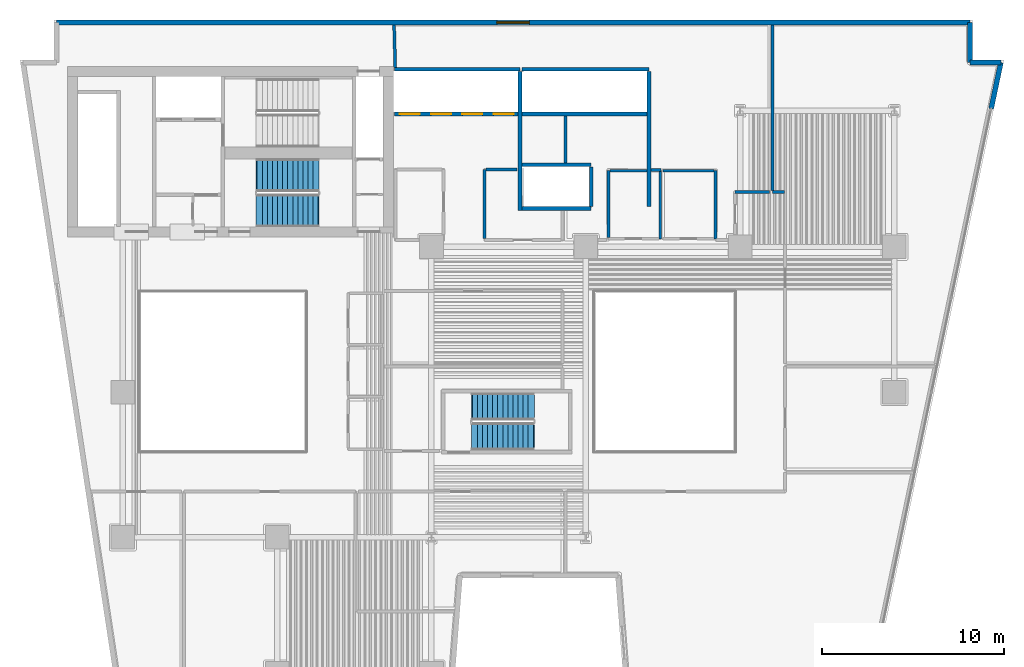
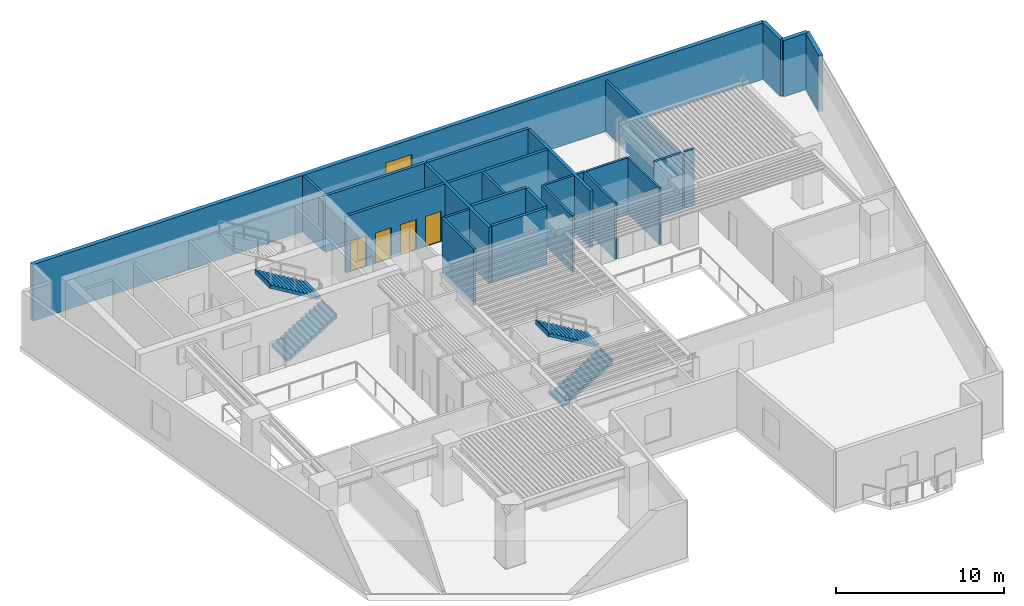
# One storey, part 6 of 12: 26 walls, 4 doors, 4 stair flights, 1 window, 5 openings, 2 elements without a shape of their own.
"""IFC4 building model written with IfcOpenShell, lengths in metres."""

from ifc_helpers import new_model, si_unit, direction, frame, frame_2d, origin, place, context, subcontext, project, spatial, polyline, rectangle, outline, extrude, material, layer, layer_set, type_object, element, fill, aggregate, save


model = new_model("IFC4")

# Units and contexts
model_context = context("Model", 3, precision=1e-05, world=origin(), true_north=direction((0.0, 1.0)))
body_context = subcontext(model_context, "Body", "Model", "MODEL_VIEW")
ifc_project = project(units=[si_unit("LENGTHUNIT", "METRE"), si_unit("AREAUNIT", "SQUARE_METRE"), si_unit("VOLUMEUNIT", "CUBIC_METRE"), si_unit("PLANEANGLEUNIT", "RADIAN"), si_unit("MASSUNIT", "GRAM", prefix="KILO")], contexts=[model_context])

# Site, building, storey
site_placement = place(None, origin())
site = spatial("IfcSite", under=ifc_project, at=site_placement, CompositionType="ELEMENT")
building_placement = place(site_placement, origin())
building = spatial("IfcBuilding", under=site, at=building_placement, Name="Caeloran Harvest Quay", CompositionType="ELEMENT")
storey_placement = place(building_placement, frame((0.0, 0.0, 71.0)))
storey = spatial("IfcBuildingStorey", under=building, at=storey_placement, Name="L16", CompositionType="ELEMENT", Elevation=71.0)

# Wall, opening, window
ifc_material_1 = material(Name="Precast concrete C50/60", Category="concrete")
ifc_layer_1 = layer(ifc_material_1, 0.280029296875, Name="Precast concrete C50/60")
ifc_layer_set_1 = layer_set([ifc_layer_1], Name="Precast concrete C50/60")
wall_type_1 = type_object("IfcWallType", Name="ENV-WALL-EW-280", PredefinedType="STANDARD", material=ifc_layer_set_1)
wall_1_placement = place(storey_placement, frame((4.840087890625, 43.360107421875, 0.0), z_axis=(0.0, 0.0, 1.0), x_axis=(1.0, 0.0, 0.0)))
wall_1 = element("IfcWall", 1, at=wall_1_placement, inside=storey, type_object=wall_type_1, Name="L16 Exterior Precast Concrete Facade Wall 6", PredefinedType="STANDARD", context=body_context, shape_type="SweptSolid", body=[
    extrude(rectangle(XDim=50.31982421875, YDim=0.280029296875, at=frame_2d((25.159912109375, 0.0))), origin(), (0.0, 0.0, 1.0), 4.10009765625),
])
opening_1_placement = place(wall_1_placement, frame((24.260009765625, 0.0, 0.89990234375)))
opening_1 = element("IfcOpeningElement", 2, at=opening_1_placement, cuts=wall_1, Name="Opening W-01", PredefinedType="OPENING", context=body_context, shape_type="SweptSolid", body=[
    extrude(rectangle(XDim=1.800048828125, YDim=2.10009765625, at=frame_2d((0.89990234375, 1.050048828125))), frame((0.0, 0.14990234375, 0.0), z_axis=(0.0, -1.0, 0.0), x_axis=(1.0, 0.0, 0.0)), (0.0, 0.0, 1.0), 0.300048828125),
])
ifc_material_2 = material(Name="Aluminium-Framed Low-E Laminated Glass", Category="aluminium")
window_type = type_object("IfcWindowType", Name="WIN-W-01", PartitioningType="SINGLE_PANEL", PredefinedType="WINDOW", material=ifc_material_2)
window_placement = place(opening_1_placement, origin())
window = element("IfcWindow", 3, at=window_placement, inside=storey, type_object=window_type, Name="L16 Facade Punched Window W-01", OverallHeight=2.10009765625, OverallWidth=1.800048828125, PartitioningType="SINGLE_PANEL", PredefinedType="WINDOW", context=body_context, shape_type="SweptSolid", body=[
    extrude(rectangle(XDim=1.800048828125, YDim=2.10009765625, at=frame_2d((0.89990234375, 1.050048828125))), frame((0.0, 0.030029296875, 0.0), z_axis=(0.0, -1.0, 0.0), x_axis=(1.0, 0.0, 0.0)), (0.0, 0.0, 1.0), 0.06005859375),
])
fill(opening_1, window)

# Walls
wall_2_placement = place(storey_placement, frame((55.159912109375, 43.360107421875, 0.0), z_axis=(0.0, 0.0, 1.0), x_axis=(0.0, -1.0, 0.0)))
element("IfcWall", 4, at=wall_2_placement, inside=storey, type_object=wall_type_1, Name="L16 Exterior Precast Concrete Facade Wall 7", PredefinedType="STANDARD", context=body_context, shape_type="SweptSolid", body=[
    extrude(rectangle(XDim=2.2001953125, YDim=0.280029296875, at=frame_2d((1.10009765625, 0.0))), origin(), (0.0, 0.0, 1.0), 4.10009765625),
])
wall_3_placement = place(storey_placement, frame((55.159912109375, 41.159912109375, 0.0), z_axis=(0.0, 0.0, 1.0), x_axis=(1.0, 0.0, 0.0)))
element("IfcWall", 5, at=wall_3_placement, inside=storey, type_object=wall_type_1, Name="L16 Exterior Precast Concrete Facade Wall 8", PredefinedType="STANDARD", context=body_context, shape_type="SweptSolid", body=[
    extrude(rectangle(XDim=1.705322265625, YDim=0.280029296875, at=frame_2d((0.8525390625, 0.0))), origin(), (0.0, 0.0, 1.0), 4.10009765625),
])
wall_4_placement = place(storey_placement, frame((56.865234375, 41.159912109375, 0.0), z_axis=(0.0, 0.0, 1.0), x_axis=(-0.205551409765, -0.978646319128, 0.0)))
element("IfcWall", 6, at=wall_4_placement, inside=storey, type_object=wall_type_1, Name="L16 Exterior Facade Corner Pier Wall 9A", PredefinedType="STANDARD", context=body_context, shape_type="SweptSolid", body=[
    extrude(rectangle(XDim=2.599853515625, YDim=0.280029296875, at=frame_2d((1.2998046875, 0.0))), origin(), (0.0, 0.0, 1.0), 4.10009765625),
])
ifc_material_3 = material(Name="Autoclaved Aerated Concrete Blockwork and Plasterboard", Category="masonry")
ifc_layer_2 = layer(ifc_material_3, 0.14990234375, Name="Autoclaved Aerated Concrete Blockwork and Plasterboard")
ifc_layer_set_2 = layer_set([ifc_layer_2], Name="Autoclaved Aerated Concrete Blockwork and Plasterboard")
wall_type_2 = type_object("IfcWallType", Name="INT-WALL-PW-150", PredefinedType="PARTITIONING", material=ifc_layer_set_2)
wall_5_placement = place(storey_placement, frame((38.10009765625, 35.199951171875, 0.0), z_axis=(0.0, 0.0, 1.0), x_axis=(0.0, -1.0, 0.0)))
element("IfcWall", 7, at=wall_5_placement, inside=storey, type_object=wall_type_2, Name="L16 Core Telemetry West Room Partition Wall", PredefinedType="PARTITIONING", context=body_context, shape_type="SweptSolid", body=[
    extrude(rectangle(XDim=3.75, YDim=0.14990234375, at=frame_2d((1.875, 0.0))), origin(), (0.0, 0.0, 1.0), 4.10009765625),
])
wall_6_placement = place(storey_placement, frame((35.25, 31.530029296875, 0.0), z_axis=(0.0, 0.0, 1.0), x_axis=(0.0, 1.0, 0.0)))
element("IfcWall", 8, at=wall_6_placement, inside=storey, type_object=wall_type_2, Name="L16 Core Telemetry West Room Partition Wall", PredefinedType="PARTITIONING", context=body_context, shape_type="SweptSolid", body=[
    extrude(rectangle(XDim=3.669921875, YDim=0.14990234375, at=frame_2d((1.8349609375, 0.0))), origin(), (0.0, 0.0, 1.0), 4.10009765625),
])
wall_7_placement = place(storey_placement, frame((35.330078125, 35.199951171875, 0.0), z_axis=(0.0, 0.0, 1.0), x_axis=(1.0, 0.0, 0.0)))
element("IfcWall", 9, at=wall_7_placement, inside=storey, type_object=wall_type_2, Name="L16 Core Telemetry West Room Partition Wall", PredefinedType="PARTITIONING", context=body_context, shape_type="SweptSolid", body=[
    extrude(rectangle(XDim=2.044921875, YDim=0.14990234375, at=frame_2d((1.0224609375, 0.0))), origin(), (0.0, 0.0, 1.0), 4.10009765625),
])
wall_8_placement = place(storey_placement, frame((41.14990234375, 35.199951171875, 0.0), z_axis=(0.0, 0.0, 1.0), x_axis=(0.0, -1.0, 0.0)))
element("IfcWall", 10, at=wall_8_placement, inside=storey, type_object=wall_type_2, Name="L16 Core Metering East Room Partition Wall", PredefinedType="PARTITIONING", context=body_context, shape_type="SweptSolid", body=[
    extrude(rectangle(XDim=3.75, YDim=0.14990234375, at=frame_2d((1.875, 0.0))), origin(), (0.0, 0.0, 1.0), 4.10009765625),
])
wall_9_placement = place(storey_placement, frame((38.25, 35.199951171875, 0.0), z_axis=(0.0, 0.0, 1.0), x_axis=(1.0, 0.0, 0.0)))
element("IfcWall", 11, at=wall_9_placement, inside=storey, type_object=wall_type_2, Name="L16 Core Metering East Room Partition Wall", PredefinedType="PARTITIONING", context=body_context, shape_type="SweptSolid", body=[
    extrude(rectangle(XDim=2.820068359375, YDim=0.14990234375, at=frame_2d((1.41015625, 0.0))), origin(), (0.0, 0.0, 1.0), 4.10009765625),
])
ifc_material_4 = material(Name="Autoclaved Aerated Concrete Blockwork", Category="masonry")
ifc_layer_3 = layer(ifc_material_4, 0.1650390625, Name="Autoclaved Aerated Concrete Blockwork")
ifc_layer_set_3 = layer_set([ifc_layer_3], Name="Autoclaved Aerated Concrete Blockwork")
wall_type_3 = type_object("IfcWallType", Name="INT-WALL-PW-165", PredefinedType="PARTITIONING", material=ifc_layer_set_3)
wall_10_placement = place(storey_placement, frame((28.429931640625, 31.467529296875, 0.0), z_axis=(0.0, 0.0, 1.0), x_axis=(0.0, 1.0, 0.0)))
element("IfcWall", 12, at=wall_10_placement, inside=storey, type_object=wall_type_3, Name="Staff Wellness Lounge Partition Wall", PredefinedType="PARTITIONING", context=body_context, shape_type="SweptSolid", body=[
    extrude(rectangle(XDim=3.802490234375, YDim=0.1650390625, at=frame_2d((1.9013671875, 0.0))), origin(), (0.0, 0.0, 1.0), 4.10009765625),
])
wall_11_placement = place(storey_placement, frame((28.517578125, 35.27001953125, 0.0), z_axis=(0.0, 0.0, 1.0), x_axis=(1.0, 0.0, 0.0)))
element("IfcWall", 13, at=wall_11_placement, inside=storey, type_object=wall_type_3, Name="Staff Wellness Lounge Partition Wall", PredefinedType="PARTITIONING", context=body_context, shape_type="SweptSolid", body=[
    extrude(rectangle(XDim=1.702392578125, YDim=0.1650390625, at=frame_2d((0.85107421875, 0.0))), origin(), (0.0, 0.0, 1.0), 4.10009765625),
])
wall_12_placement = place(storey_placement, frame((44.949951171875, 34.030029296875, 0.0), z_axis=(0.0, 0.0, 1.0), x_axis=(-1.0, 0.0, 0.0)))
element("IfcWall", 14, at=wall_12_placement, inside=storey, type_object=wall_type_3, Name="Medicinal Plant Aeroponic Room 10 Partition Wall", PredefinedType="PARTITIONING", context=body_context, shape_type="SweptSolid", body=[
    extrude(rectangle(XDim=0.669921875, YDim=0.1650390625, at=frame_2d((0.3349609375, 0.0))), origin(), (0.0, 0.0, 1.0), 4.10009765625),
])
wall_13_placement = place(storey_placement, frame((44.280029296875, 34.117431640625, 0.0), z_axis=(0.0, 0.0, 1.0), x_axis=(0.0, 1.0, 0.0)))
element("IfcWall", 15, at=wall_13_placement, inside=storey, type_object=wall_type_3, Name="Medicinal Plant Aeroponic Room 10 Partition Wall", PredefinedType="PARTITIONING", context=body_context, shape_type="SweptSolid", body=[
    extrude(rectangle(XDim=9.09765625, YDim=0.1650390625, at=frame_2d((4.548828125, 0.0))), origin(), (0.0, 0.0, 1.0), 3.72509765625),
])
wall_14_placement = place(storey_placement, frame((44.1201171875, 34.030029296875, 0.0), z_axis=(0.0, 0.0, 1.0), x_axis=(-1.0, 0.0, 0.0)))
element("IfcWall", 16, at=wall_14_placement, inside=storey, type_object=wall_type_3, Name="Photobiology Spectrum Laboratory 11 Partition Wall", PredefinedType="PARTITIONING", context=body_context, shape_type="SweptSolid", body=[
    extrude(rectangle(XDim=1.900146484375, YDim=0.1650390625, at=frame_2d((0.9501953125, 0.0))), origin(), (0.0, 0.0, 1.0), 4.10009765625),
])
wall_15_placement = place(storey_placement, frame((38.155517578125, 35.22998046875, 0.0), z_axis=(0.0, 0.0, 1.0), x_axis=(-1.0, 0.0, 0.0)))
element("IfcWall", 17, at=wall_15_placement, inside=storey, type_object=wall_type_3, Name="Photobiology Spectrum Laboratory 11 Partition Wall", PredefinedType="PARTITIONING", context=body_context, shape_type="SweptSolid", body=[
    extrude(rectangle(XDim=0.570556640625, YDim=0.1650390625, at=frame_2d((0.28515625, 0.0))), origin(), (0.0, 0.0, 1.0), 4.10009765625),
])
wall_16_placement = place(storey_placement, frame((32.8798828125, 35.635009765625, 0.0), z_axis=(0.0, 0.0, 1.0), x_axis=(0.0, 1.0, 0.0)))
element("IfcWall", 18, at=wall_16_placement, inside=storey, type_object=wall_type_3, Name="Photobiology Spectrum Laboratory 11 Partition Wall", PredefinedType="PARTITIONING", context=body_context, shape_type="SweptSolid", body=[
    extrude(rectangle(XDim=2.580078125, YDim=0.1650390625, at=frame_2d((1.2900390625, 0.0))), origin(), (0.0, 0.0, 1.0), 4.10009765625),
])
wall_17_placement = place(storey_placement, frame((23.505615234375, 40.885009765625, 0.0), z_axis=(0.0, 0.0, 1.0), x_axis=(-0.027441464163, 0.999623412113, 0.0)))
element("IfcWall", 19, at=wall_17_placement, inside=storey, type_object=wall_type_3, Name="Photobiology Spectrum Laboratory 11 Partition Wall", PredefinedType="PARTITIONING", context=body_context, shape_type="SweptSolid", body=[
    extrude(rectangle(XDim=2.3310546875, YDim=0.1650390625, at=frame_2d((1.16552734375, 0.0))), origin(), (0.0, 0.0, 1.0), 4.10009765625),
])
ifc_material_5 = material(Name="Concrete C50/60", Category="concrete")
ifc_layer_4 = layer(ifc_material_5, 0.199951171875, Name="Concrete C50/60")
ifc_layer_set_4 = layer_set([ifc_layer_4], Name="Concrete C50/60")
wall_type_4 = type_object("IfcWallType", Name="INT-WALL-SW-200", PredefinedType="PARTITIONING", material=ifc_layer_set_4)
wall_18_placement = place(storey_placement, frame((23.469970703125, 40.780029296875, 0.0), z_axis=(0.0, 0.0, 1.0), x_axis=(1.0, 0.0, 0.0)))
element("IfcWall", 20, at=wall_18_placement, inside=storey, type_object=wall_type_4, Name="L16 Bank 1 Lift Shaft North Wall", PredefinedType="PARTITIONING", context=body_context, shape_type="SweptSolid", body=[
    extrude(rectangle(XDim=6.909912109375, YDim=0.199951171875, at=frame_2d((3.455078125, 0.0))), origin(), (0.0, 0.0, 1.0), 4.10009765625),
])
wall_19_placement = place(storey_placement, frame((30.3798828125, 33.02001953125, 0.0), z_axis=(0.0, 0.0, 1.0), x_axis=(0.0, 1.0, 0.0)))
element("IfcWall", 21, at=wall_19_placement, inside=storey, type_object=wall_type_4, Name="L16 Bank 1 Lift Shaft East Wall", PredefinedType="PARTITIONING", context=body_context, shape_type="SweptSolid", body=[
    extrude(rectangle(XDim=7.639892578125, YDim=0.199951171875, at=frame_2d((3.81982421875, 0.0))), origin(), (0.0, 0.0, 1.0), 4.10009765625),
])

# Wall, openings, doors
wall_20_placement = place(storey_placement, frame((23.469970703125, 38.320068359375, 0.0), z_axis=(0.0, 0.0, 1.0), x_axis=(1.0, 0.0, 0.0)))
wall_20 = element("IfcWall", 22, at=wall_20_placement, inside=storey, type_object=wall_type_4, Name="L16 Bank 1 Lift Landing Front Wall", PredefinedType="PARTITIONING", context=body_context, shape_type="SweptSolid", body=[
    extrude(rectangle(XDim=6.7900390625, YDim=0.199951171875, at=frame_2d((3.39501953125, 0.0))), origin(), (0.0, 0.0, 1.0), 4.10009765625),
])
opening_2_placement = place(wall_20_placement, frame((0.2900390625, 0.0, 0.0)))
opening_2 = element("IfcOpeningElement", 23, at=opening_2_placement, cuts=wall_20, Name="Opening LD-01", PredefinedType="OPENING", context=body_context, shape_type="SweptSolid", body=[
    extrude(rectangle(XDim=1.10009765625, YDim=2.199951171875, at=frame_2d((0.550048828125, 1.10009765625))), frame((0.0, 0.10986328125, 0.0), z_axis=(0.0, -1.0, 0.0), x_axis=(1.0, 0.0, 0.0)), (0.0, 0.0, 1.0), 0.219970703125),
])
opening_3_placement = place(wall_20_placement, frame((2.010009765625, 0.0, 0.0)))
opening_3 = element("IfcOpeningElement", 24, at=opening_3_placement, cuts=wall_20, Name="Opening LD-01", PredefinedType="OPENING", context=body_context, shape_type="SweptSolid", body=[
    extrude(rectangle(XDim=1.10009765625, YDim=2.199951171875, at=frame_2d((0.550048828125, 1.10009765625))), frame((0.0, 0.10986328125, 0.0), z_axis=(0.0, -1.0, 0.0), x_axis=(1.0, 0.0, 0.0)), (0.0, 0.0, 1.0), 0.219970703125),
])
opening_4_placement = place(wall_20_placement, frame((3.72998046875, 0.0, 0.0)))
opening_4 = element("IfcOpeningElement", 25, at=opening_4_placement, cuts=wall_20, Name="Opening LD-01", PredefinedType="OPENING", context=body_context, shape_type="SweptSolid", body=[
    extrude(rectangle(XDim=1.10009765625, YDim=2.199951171875, at=frame_2d((0.550048828125, 1.10009765625))), frame((0.0, 0.10986328125, 0.0), z_axis=(0.0, -1.0, 0.0), x_axis=(1.0, 0.0, 0.0)), (0.0, 0.0, 1.0), 0.219970703125),
])
opening_5_placement = place(wall_20_placement, frame((5.449951171875, 0.0, 0.0)))
opening_5 = element("IfcOpeningElement", 26, at=opening_5_placement, cuts=wall_20, Name="Opening LD-01", PredefinedType="OPENING", context=body_context, shape_type="SweptSolid", body=[
    extrude(rectangle(XDim=1.10009765625, YDim=2.199951171875, at=frame_2d((0.550048828125, 1.10009765625))), frame((0.0, 0.10986328125, 0.0), z_axis=(0.0, -1.0, 0.0), x_axis=(1.0, 0.0, 0.0)), (0.0, 0.0, 1.0), 0.219970703125),
])
ifc_material_6 = material(Name="Stainless Steel Grade 316", Category="steel")
door_type = type_object("IfcDoorType", Name="INTDOOR-LD-01", OperationType="NOTDEFINED", PredefinedType="DOOR", material=ifc_material_6)
door_1_placement = place(opening_2_placement, origin())
door_1 = element("IfcDoor", 27, at=door_1_placement, inside=storey, type_object=door_type, Name="Lift P1-1 Sliding Landing Door (L16)", OperationType="DOUBLE_DOOR_SLIDING", OverallHeight=2.199951171875, OverallWidth=1.10009765625, PredefinedType="DOOR", context=body_context, shape_type="SweptSolid", body=[
    extrude(rectangle(XDim=1.10009765625, YDim=2.199951171875, at=frame_2d((0.550048828125, 1.10009765625))), frame((0.0, 0.02490234375, 0.0), z_axis=(0.0, -1.0, 0.0), x_axis=(1.0, 0.0, 0.0)), (0.0, 0.0, 1.0), 0.050048828125),
])
fill(opening_2, door_1)
door_2_placement = place(opening_3_placement, origin())
door_2 = element("IfcDoor", 28, at=door_2_placement, inside=storey, type_object=door_type, Name="Lift P1-2 Sliding Landing Door (L16)", OperationType="DOUBLE_DOOR_SLIDING", OverallHeight=2.199951171875, OverallWidth=1.10009765625, PredefinedType="DOOR", context=body_context, shape_type="SweptSolid", body=[
    extrude(rectangle(XDim=1.10009765625, YDim=2.199951171875, at=frame_2d((0.550048828125, 1.10009765625))), frame((0.0, 0.02490234375, 0.0), z_axis=(0.0, -1.0, 0.0), x_axis=(1.0, 0.0, 0.0)), (0.0, 0.0, 1.0), 0.050048828125),
])
fill(opening_3, door_2)
door_3_placement = place(opening_4_placement, origin())
door_3 = element("IfcDoor", 29, at=door_3_placement, inside=storey, type_object=door_type, Name="Lift P1-3 Sliding Landing Door (L16)", OperationType="DOUBLE_DOOR_SLIDING", OverallHeight=2.199951171875, OverallWidth=1.10009765625, PredefinedType="DOOR", context=body_context, shape_type="SweptSolid", body=[
    extrude(rectangle(XDim=1.10009765625, YDim=2.199951171875, at=frame_2d((0.550048828125, 1.10009765625))), frame((0.0, 0.02490234375, 0.0), z_axis=(0.0, -1.0, 0.0), x_axis=(1.0, 0.0, 0.0)), (0.0, 0.0, 1.0), 0.050048828125),
])
fill(opening_4, door_3)
door_4_placement = place(opening_5_placement, origin())
door_4 = element("IfcDoor", 30, at=door_4_placement, inside=storey, type_object=door_type, Name="Lift P1-4 Sliding Landing Door (L16)", OperationType="DOUBLE_DOOR_SLIDING", OverallHeight=2.199951171875, OverallWidth=1.10009765625, PredefinedType="DOOR", context=body_context, shape_type="SweptSolid", body=[
    extrude(rectangle(XDim=1.10009765625, YDim=2.199951171875, at=frame_2d((0.550048828125, 1.10009765625))), frame((0.0, 0.02490234375, 0.0), z_axis=(0.0, -1.0, 0.0), x_axis=(1.0, 0.0, 0.0)), (0.0, 0.0, 1.0), 0.050048828125),
])
fill(opening_5, door_4)

# Walls
wall_21_placement = place(storey_placement, frame((30.5, 40.780029296875, 0.0), z_axis=(0.0, 0.0, 1.0), x_axis=(1.0, 0.0, 0.0)))
element("IfcWall", 31, at=wall_21_placement, inside=storey, type_object=wall_type_4, Name="L16 Bank 2 Lift Shaft North Wall", PredefinedType="PARTITIONING", context=body_context, shape_type="SweptSolid", body=[
    extrude(rectangle(XDim=6.97998046875, YDim=0.199951171875, at=frame_2d((3.489990234375, 0.0))), origin(), (0.0, 0.0, 1.0), 4.10009765625),
])
wall_22_placement = place(storey_placement, frame((37.47998046875, 33.239990234375, 0.0), z_axis=(0.0, 0.0, 1.0), x_axis=(0.0, 1.0, 0.0)))
element("IfcWall", 32, at=wall_22_placement, inside=storey, type_object=wall_type_4, Name="L16 Bank 2 Lift Shaft East Wall", PredefinedType="PARTITIONING", context=body_context, shape_type="SweptSolid", body=[
    extrude(rectangle(XDim=7.419921875, YDim=0.199951171875, at=frame_2d((3.7099609375, 0.0))), origin(), (0.0, 0.0, 1.0), 4.10009765625),
])
wall_23_placement = place(storey_placement, frame((30.5, 38.320068359375, 0.0), z_axis=(0.0, 0.0, 1.0), x_axis=(1.0, 0.0, 0.0)))
element("IfcWall", 33, at=wall_23_placement, inside=storey, type_object=wall_type_4, Name="L16 Bank 2 Lift Landing Front Wall", PredefinedType="PARTITIONING", context=body_context, shape_type="SweptSolid", body=[
    extrude(rectangle(XDim=6.860107421875, YDim=0.199951171875, at=frame_2d((3.43017578125, 0.0))), origin(), (0.0, 0.0, 1.0), 4.10009765625),
])
for number, where, z_axis, x_axis, name in (
    (34, (30.5, 35.530029296875, 0.0), (0.0, 0.0, 1.0), (1.0, 0.0, 0.0), "L16 Shuttle Lift Landing Front Wall"),
    (35, (30.5, 33.1201171875, 0.0), (0.0, 0.0, 1.0), (1.0, 0.0, 0.0), "L16 Shuttle Lift Shaft South Wall"),
):
    element("IfcWall", number, at=place(storey_placement, frame(where, z_axis=z_axis, x_axis=x_axis)), inside=storey, type_object=wall_type_4, Name=name, PredefinedType="PARTITIONING", context=body_context, shape_type="SweptSolid", body=[
        extrude(rectangle(XDim=3.800048828125, YDim=0.199951171875, at=frame_2d((1.89990234375, 0.0))), origin(), (0.0, 0.0, 1.0), 4.10009765625),
    ])
wall_24_placement = place(storey_placement, frame((34.300048828125, 33.239990234375, 0.0), z_axis=(0.0, 0.0, 1.0), x_axis=(0.0, 1.0, 0.0)))
element("IfcWall", 36, at=wall_24_placement, inside=storey, type_object=wall_type_4, Name="L16 Shuttle Lift Shaft East Wall", PredefinedType="PARTITIONING", context=body_context, shape_type="SweptSolid", body=[
    extrude(rectangle(XDim=2.169921875, YDim=0.199951171875, at=frame_2d((1.0849609375, 0.0))), origin(), (0.0, 0.0, 1.0), 4.10009765625),
])

# Stair, stair flights
stair_type_1 = type_object("IfcStairType", Name="STAIR-STC-180", PredefinedType="HALF_TURN_STAIR", material=ifc_material_5)
stair_1_placement = place(storey_placement, origin())
stair_1 = element("IfcStair", 37, at=stair_1_placement, inside=storey, type_object=stair_type_1, Name="L16 Core Pressurized Exit Stair ST-C2", PredefinedType="HALF_TURN_STAIR")
stair_flight_type_1 = type_object("IfcStairFlightType", Name="FLIGHT-STC-180", PredefinedType="STRAIGHT", material=ifc_material_5)
stair_flight_1_placement = place(storey_placement, frame((15.89990234375, 33.0, 0.0), z_axis=(0.0, 0.0, 1.0), x_axis=(1.0, 0.0, 0.0)))
stair_flight_1 = element("IfcStairFlight", 38, at=stair_flight_1_placement, type_object=stair_flight_type_1, Name="ST-C2 flight 1", NumberOfRisers=13, NumberOfTreads=12, PredefinedType="STRAIGHT", RiserHeight=0.169230769, TreadLength=0.28, context=body_context, shape_type="SweptSolid", body=[
    extrude(outline(polyline([(-0.054931640625, -0.044921875), (-0.054931640625, -0.031494140625), (-0.054931640625, -0.018310546875), (-0.054931640625, -0.0048828125), (-0.054931640625, 0.008544921875), (-0.054931640625, 0.02197265625), (-0.054931640625, 0.035400390625), (-0.054931640625, 0.048828125), (-0.054931640625, 0.06201171875), (-0.054931640625, 0.075439453125), (-0.054931640625, 0.0888671875), (-0.054931640625, 0.102294921875), (-0.054931640625, 0.11572265625), (-0.054931640625, 0.129150390625), (-0.054931640625, 0.142333984375), (-0.054931640625, 0.15576171875), (-0.054931640625, 0.169189453125), (0.280029296875, 0.169189453125), (0.280029296875, 0.33837890625), (0.56005859375, 0.33837890625), (0.56005859375, 0.5078125), (0.840087890625, 0.5078125), (0.840087890625, 0.677001953125), (1.1201171875, 0.677001953125), (1.1201171875, 0.84619140625), (1.39990234375, 0.84619140625), (1.39990234375, 1.015380859375), (1.679931640625, 1.015380859375), (1.679931640625, 1.1845703125), (1.9599609375, 1.1845703125), (1.9599609375, 1.353759765625), (2.239990234375, 1.353759765625), (2.239990234375, 1.523193359375), (2.52001953125, 1.523193359375), (2.52001953125, 1.6923828125), (2.800048828125, 1.6923828125), (2.800048828125, 1.861572265625), (3.080078125, 1.861572265625), (3.080078125, 2.03076171875), (3.360107421875, 2.03076171875), (3.360107421875, 2.199951171875), (3.4150390625, 2.199951171875), (3.4150390625, 2.178466796875), (3.4150390625, 2.156982421875), (3.4150390625, 2.135498046875), (3.4150390625, 2.114013671875), (3.4150390625, 2.09228515625), (3.4150390625, 2.07080078125), (3.4150390625, 2.04931640625), (3.4150390625, 2.02783203125), (3.4150390625, 2.00634765625), (3.4150390625, 1.98486328125), (3.4150390625, 1.963134765625), (3.4150390625, 1.941650390625), (3.4150390625, 1.920166015625), (3.4150390625, 1.898681640625), (3.4150390625, 1.877197265625), (3.4150390625, 1.855712890625), (3.360107421875, 1.855712890625), (0.21533203125, -0.044921875), (-0.054931640625, -0.044921875)])), frame((0.0, 0.89990234375, 0.0), z_axis=(0.0, -1.0, 0.0), x_axis=(1.0, 0.0, 0.0)), (0.0, 0.0, 1.0), 1.800048828125),
])
stair_flight_2_placement = place(storey_placement, frame((19.260009765625, 34.949951171875, 2.199951171875), z_axis=(0.0, 0.0, 1.0), x_axis=(-1.0, 0.0, 0.0)))
stair_flight_2 = element("IfcStairFlight", 39, at=stair_flight_2_placement, type_object=stair_flight_type_1, Name="ST-C2 flight 2", NumberOfRisers=13, NumberOfTreads=12, PredefinedType="STRAIGHT", RiserHeight=0.169230769, TreadLength=0.28, context=body_context, shape_type="SweptSolid", body=[
    extrude(outline(polyline([(-0.054931640625, -0.044921875), (-0.054931640625, -0.031494140625), (-0.054931640625, -0.018310546875), (-0.054931640625, -0.0048828125), (-0.054931640625, 0.008544921875), (-0.054931640625, 0.02197265625), (-0.054931640625, 0.035400390625), (-0.054931640625, 0.048828125), (-0.054931640625, 0.06201171875), (-0.054931640625, 0.075439453125), (-0.054931640625, 0.0888671875), (-0.054931640625, 0.102294921875), (-0.054931640625, 0.11572265625), (-0.054931640625, 0.129150390625), (-0.054931640625, 0.142333984375), (-0.054931640625, 0.15576171875), (-0.054931640625, 0.169189453125), (0.280029296875, 0.169189453125), (0.280029296875, 0.33837890625), (0.56005859375, 0.33837890625), (0.56005859375, 0.5078125), (0.840087890625, 0.5078125), (0.840087890625, 0.677001953125), (1.1201171875, 0.677001953125), (1.1201171875, 0.84619140625), (1.39990234375, 0.84619140625), (1.39990234375, 1.015380859375), (1.679931640625, 1.015380859375), (1.679931640625, 1.1845703125), (1.9599609375, 1.1845703125), (1.9599609375, 1.353759765625), (2.239990234375, 1.353759765625), (2.239990234375, 1.523193359375), (2.52001953125, 1.523193359375), (2.52001953125, 1.6923828125), (2.800048828125, 1.6923828125), (2.800048828125, 1.861572265625), (3.080078125, 1.861572265625), (3.080078125, 2.03076171875), (3.360107421875, 2.03076171875), (3.360107421875, 2.199951171875), (3.4150390625, 2.199951171875), (3.4150390625, 2.178466796875), (3.4150390625, 2.156982421875), (3.4150390625, 2.135498046875), (3.4150390625, 2.114013671875), (3.4150390625, 2.09228515625), (3.4150390625, 2.07080078125), (3.4150390625, 2.04931640625), (3.4150390625, 2.02783203125), (3.4150390625, 2.00634765625), (3.4150390625, 1.98486328125), (3.4150390625, 1.963134765625), (3.4150390625, 1.941650390625), (3.4150390625, 1.920166015625), (3.4150390625, 1.898681640625), (3.4150390625, 1.877197265625), (3.4150390625, 1.855712890625), (3.360107421875, 1.855712890625), (0.21533203125, -0.044921875), (-0.054931640625, -0.044921875)])), frame((0.0, 0.89990234375, 0.0), z_axis=(0.0, -1.0, 0.0), x_axis=(1.0, 0.0, 0.0)), (0.0, 0.0, 1.0), 1.800048828125),
])
aggregate(stair_1, [stair_flight_1, stair_flight_2])

stair_type_2 = type_object("IfcStairType", Name="STAIR-STW-150", PredefinedType="HALF_TURN_STAIR", material=ifc_material_5)
stair_2_placement = place(storey_placement, origin())
stair_2 = element("IfcStair", 40, at=stair_2_placement, inside=storey, type_object=stair_type_2, Name="L16 East Wing Protected Exit Stair ST-W1", PredefinedType="HALF_TURN_STAIR")
stair_flight_type_2 = type_object("IfcStairFlightType", Name="FLIGHT-STW-150", PredefinedType="STRAIGHT", material=ifc_material_5)
stair_flight_3_placement = place(storey_placement, frame((27.75, 20.550048828125, 0.0), z_axis=(0.0, 0.0, 1.0), x_axis=(1.0, 0.0, 0.0)))
stair_flight_3 = element("IfcStairFlight", 41, at=stair_flight_3_placement, type_object=stair_flight_type_2, Name="ST-W1 flight 1", NumberOfRisers=13, NumberOfTreads=12, PredefinedType="STRAIGHT", RiserHeight=0.169230769, TreadLength=0.28, context=body_context, shape_type="SweptSolid", body=[
    extrude(outline(polyline([(-0.054931640625, -0.044921875), (-0.054931640625, -0.031494140625), (-0.054931640625, -0.018310546875), (-0.054931640625, -0.0048828125), (-0.054931640625, 0.008544921875), (-0.054931640625, 0.02197265625), (-0.054931640625, 0.035400390625), (-0.054931640625, 0.048828125), (-0.054931640625, 0.06201171875), (-0.054931640625, 0.075439453125), (-0.054931640625, 0.0888671875), (-0.054931640625, 0.102294921875), (-0.054931640625, 0.11572265625), (-0.054931640625, 0.129150390625), (-0.054931640625, 0.142333984375), (-0.054931640625, 0.15576171875), (-0.054931640625, 0.169189453125), (0.280029296875, 0.169189453125), (0.280029296875, 0.33837890625), (0.56005859375, 0.33837890625), (0.56005859375, 0.5078125), (0.840087890625, 0.5078125), (0.840087890625, 0.677001953125), (1.1201171875, 0.677001953125), (1.1201171875, 0.84619140625), (1.39990234375, 0.84619140625), (1.39990234375, 1.015380859375), (1.679931640625, 1.015380859375), (1.679931640625, 1.1845703125), (1.9599609375, 1.1845703125), (1.9599609375, 1.353759765625), (2.239990234375, 1.353759765625), (2.239990234375, 1.523193359375), (2.52001953125, 1.523193359375), (2.52001953125, 1.6923828125), (2.800048828125, 1.6923828125), (2.800048828125, 1.861572265625), (3.080078125, 1.861572265625), (3.080078125, 2.03076171875), (3.360107421875, 2.03076171875), (3.360107421875, 2.199951171875), (3.4150390625, 2.199951171875), (3.4150390625, 2.178466796875), (3.4150390625, 2.156982421875), (3.4150390625, 2.135498046875), (3.4150390625, 2.114013671875), (3.4150390625, 2.09228515625), (3.4150390625, 2.07080078125), (3.4150390625, 2.04931640625), (3.4150390625, 2.02783203125), (3.4150390625, 2.00634765625), (3.4150390625, 1.98486328125), (3.4150390625, 1.963134765625), (3.4150390625, 1.941650390625), (3.4150390625, 1.920166015625), (3.4150390625, 1.898681640625), (3.4150390625, 1.877197265625), (3.4150390625, 1.855712890625), (3.360107421875, 1.855712890625), (0.21533203125, -0.044921875), (-0.054931640625, -0.044921875)])), frame((0.0, 0.75, 0.0), z_axis=(0.0, -1.0, 0.0), x_axis=(1.0, 0.0, 0.0)), (0.0, 0.0, 1.0), 1.5),
])
stair_flight_4_placement = place(storey_placement, frame((31.110107421875, 22.199951171875, 2.199951171875), z_axis=(0.0, 0.0, 1.0), x_axis=(-1.0, 0.0, 0.0)))
stair_flight_4 = element("IfcStairFlight", 42, at=stair_flight_4_placement, type_object=stair_flight_type_2, Name="ST-W1 flight 2", NumberOfRisers=13, NumberOfTreads=12, PredefinedType="STRAIGHT", RiserHeight=0.169230769, TreadLength=0.28, context=body_context, shape_type="SweptSolid", body=[
    extrude(outline(polyline([(-0.054931640625, -0.044921875), (-0.054931640625, -0.031494140625), (-0.054931640625, -0.018310546875), (-0.054931640625, -0.0048828125), (-0.054931640625, 0.008544921875), (-0.054931640625, 0.02197265625), (-0.054931640625, 0.035400390625), (-0.054931640625, 0.048828125), (-0.054931640625, 0.06201171875), (-0.054931640625, 0.075439453125), (-0.054931640625, 0.0888671875), (-0.054931640625, 0.102294921875), (-0.054931640625, 0.11572265625), (-0.054931640625, 0.129150390625), (-0.054931640625, 0.142333984375), (-0.054931640625, 0.15576171875), (-0.054931640625, 0.169189453125), (0.280029296875, 0.169189453125), (0.280029296875, 0.33837890625), (0.56005859375, 0.33837890625), (0.56005859375, 0.5078125), (0.840087890625, 0.5078125), (0.840087890625, 0.677001953125), (1.1201171875, 0.677001953125), (1.1201171875, 0.84619140625), (1.39990234375, 0.84619140625), (1.39990234375, 1.015380859375), (1.679931640625, 1.015380859375), (1.679931640625, 1.1845703125), (1.9599609375, 1.1845703125), (1.9599609375, 1.353759765625), (2.239990234375, 1.353759765625), (2.239990234375, 1.523193359375), (2.52001953125, 1.523193359375), (2.52001953125, 1.6923828125), (2.800048828125, 1.6923828125), (2.800048828125, 1.861572265625), (3.080078125, 1.861572265625), (3.080078125, 2.03076171875), (3.360107421875, 2.03076171875), (3.360107421875, 2.199951171875), (3.4150390625, 2.199951171875), (3.4150390625, 2.178466796875), (3.4150390625, 2.156982421875), (3.4150390625, 2.135498046875), (3.4150390625, 2.114013671875), (3.4150390625, 2.09228515625), (3.4150390625, 2.07080078125), (3.4150390625, 2.04931640625), (3.4150390625, 2.02783203125), (3.4150390625, 2.00634765625), (3.4150390625, 1.98486328125), (3.4150390625, 1.963134765625), (3.4150390625, 1.941650390625), (3.4150390625, 1.920166015625), (3.4150390625, 1.898681640625), (3.4150390625, 1.877197265625), (3.4150390625, 1.855712890625), (3.360107421875, 1.855712890625), (0.21533203125, -0.044921875), (-0.054931640625, -0.044921875)])), frame((0.0, 0.75, 0.0), z_axis=(0.0, -1.0, 0.0), x_axis=(1.0, 0.0, 0.0)), (0.0, 0.0, 1.0), 1.5),
])
aggregate(stair_2, [stair_flight_3, stair_flight_4])

save(model, "model.ifc")
